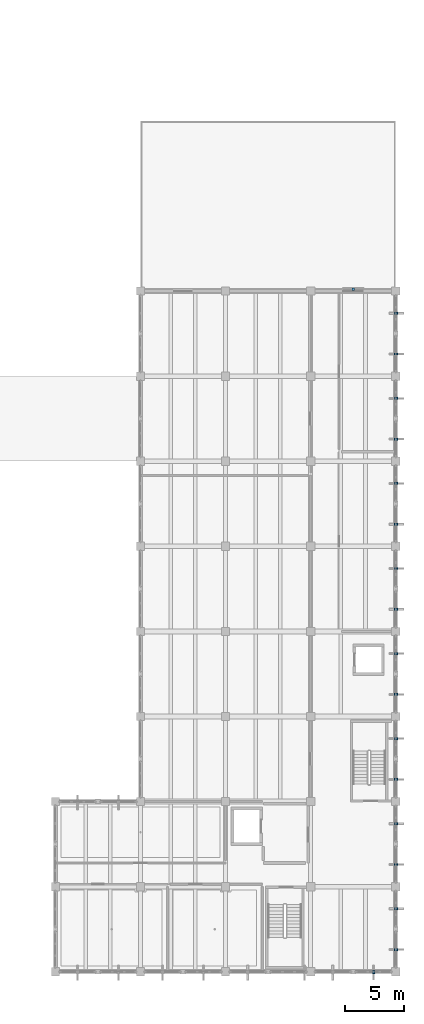
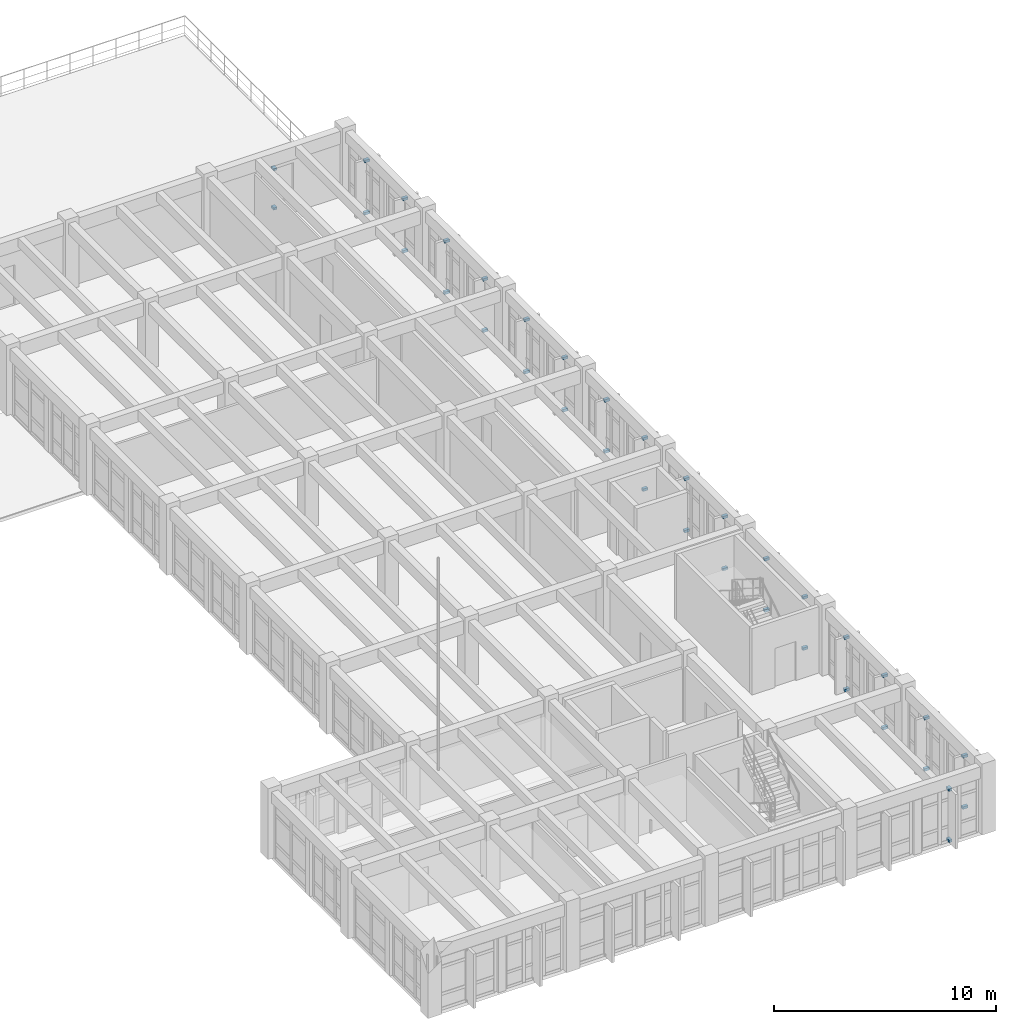
# One storey, part 50 of 54: 36 discrete accessories.
"""IFC4 building model written with IfcOpenShell, lengths in metres."""

from ifc_helpers import new_model, si_unit, direction, frame, origin, origin_2d, place, context, subcontext, project, spatial, rectangle, extrude, material, type_object, element, save


model = new_model("IFC4")

# Units and contexts
model_context = context("Model", 3, precision=1e-05, world=origin(), true_north=direction((0.0, 1.0)))
body_context = subcontext(model_context, "Body", "Model", "MODEL_VIEW")
ifc_project = project(units=[si_unit("LENGTHUNIT", "METRE"), si_unit("AREAUNIT", "SQUARE_METRE"), si_unit("VOLUMEUNIT", "CUBIC_METRE"), si_unit("PLANEANGLEUNIT", "RADIAN"), si_unit("MASSUNIT", "GRAM", prefix="KILO")], contexts=[model_context])

# Site, building, storey
site_placement = place(None, origin())
site = spatial("IfcSite", under=ifc_project, at=site_placement, CompositionType="ELEMENT")
building_placement = place(site_placement, origin())
building = spatial("IfcBuilding", under=site, at=building_placement, Name="Koriwan Promenade Central Fire Station", CompositionType="ELEMENT")
storey_placement = place(building_placement, frame((0.0, 0.0, 9.60009765625)))
storey = spatial("IfcBuildingStorey", under=building, at=storey_placement, Name="L02", CompositionType="ELEMENT", Elevation=9.60009765625)

# Discrete accessories
ifc_material = material(Name="Steel ASTM A572 Grade 50", Category="steel")
discrete_accessory_type_1 = type_object("IfcDiscreteAccessoryType", Name="FacadeBracket_Fin", PredefinedType="BRACKET", material=ifc_material)
for number, where, z_axis, x_axis, name in (
    (1, (170.925048828125, -0.02001953125, 0.02001953125), (0.0, 0.0, 1.0), (0.0, -1.0, 0.0), "Solar fin outrigger bracket 059-BOT"),
    (2, (170.925048828125, -0.02001953125, 2.830078125), (0.0, 0.0, 1.0), (0.0, -1.0, 0.0), "Solar fin outrigger bracket 059-TOP"),
    (3, (172.820068359375, 55.72509765625, 0.02001953125), (0.0, 0.0, 1.0), (1.0, 0.0, 0.0), "Solar fin outrigger bracket 069-BOT"),
    (4, (172.820068359375, 55.72509765625, 2.89013671875), (0.0, 0.0, 1.0), (1.0, 0.0, 0.0), "Solar fin outrigger bracket 069-TOP"),
    (5, (172.820068359375, 52.27490234375, 0.02001953125), (0.0, 0.0, 1.0), (1.0, 0.0, 0.0), "Solar fin outrigger bracket 070-BOT"),
    (6, (172.820068359375, 52.27490234375, 2.89013671875), (0.0, 0.0, 1.0), (1.0, 0.0, 0.0), "Solar fin outrigger bracket 070-TOP"),
    (7, (172.820068359375, 48.52490234375, 0.02001953125), (0.0, 0.0, 1.0), (1.0, 0.0, 0.0), "Solar fin outrigger bracket 071-BOT"),
    (8, (172.820068359375, 48.52490234375, 2.83984375), (0.0, 0.0, 1.0), (1.0, 0.0, 0.0), "Solar fin outrigger bracket 071-TOP"),
    (9, (172.820068359375, 45.074951171875, 0.02001953125), (0.0, 0.0, 1.0), (1.0, 0.0, 0.0), "Solar fin outrigger bracket 072-BOT"),
    (10, (172.820068359375, 45.074951171875, 2.83984375), (0.0, 0.0, 1.0), (1.0, 0.0, 0.0), "Solar fin outrigger bracket 072-TOP"),
    (11, (172.820068359375, 41.324951171875, 0.02001953125), (0.0, 0.0, 1.0), (1.0, 0.0, 0.0), "Solar fin outrigger bracket 073-BOT"),
    (12, (172.820068359375, 41.324951171875, 2.8798828125), (0.0, 0.0, 1.0), (1.0, 0.0, 0.0), "Solar fin outrigger bracket 073-TOP"),
    (13, (172.820068359375, 37.875, 0.02001953125), (0.0, 0.0, 1.0), (1.0, 0.0, 0.0), "Solar fin outrigger bracket 074-BOT"),
    (14, (172.820068359375, 37.875, 2.8798828125), (0.0, 0.0, 1.0), (1.0, 0.0, 0.0), "Solar fin outrigger bracket 074-TOP"),
    (15, (172.820068359375, 34.125, 0.02001953125), (0.0, 0.0, 1.0), (1.0, 0.0, 0.0), "Solar fin outrigger bracket 075-BOT"),
    (16, (172.820068359375, 34.125, 2.830078125), (0.0, 0.0, 1.0), (1.0, 0.0, 0.0), "Solar fin outrigger bracket 075-TOP"),
    (17, (172.820068359375, 30.675048828125, 0.02001953125), (0.0, 0.0, 1.0), (1.0, 0.0, 0.0), "Solar fin outrigger bracket 076-BOT"),
    (18, (172.820068359375, 30.675048828125, 2.830078125), (0.0, 0.0, 1.0), (1.0, 0.0, 0.0), "Solar fin outrigger bracket 076-TOP"),
    (19, (172.820068359375, 26.925048828125, 0.02001953125), (0.0, 0.0, 1.0), (1.0, 0.0, 0.0), "Solar fin outrigger bracket 077-BOT"),
    (20, (172.820068359375, 26.925048828125, 2.8798828125), (0.0, 0.0, 1.0), (1.0, 0.0, 0.0), "Solar fin outrigger bracket 077-TOP"),
    (21, (172.820068359375, 23.47509765625, 0.02001953125), (0.0, 0.0, 1.0), (1.0, 0.0, 0.0), "Solar fin outrigger bracket 078-BOT"),
    (22, (172.820068359375, 23.47509765625, 2.8798828125), (0.0, 0.0, 1.0), (1.0, 0.0, 0.0), "Solar fin outrigger bracket 078-TOP"),
    (23, (172.820068359375, 19.72509765625, 0.02001953125), (0.0, 0.0, 1.0), (1.0, 0.0, 0.0), "Solar fin outrigger bracket 079-BOT"),
    (24, (172.820068359375, 19.72509765625, 2.830078125), (0.0, 0.0, 1.0), (1.0, 0.0, 0.0), "Solar fin outrigger bracket 079-TOP"),
    (25, (172.820068359375, 16.27490234375, 0.02001953125), (0.0, 0.0, 1.0), (1.0, 0.0, 0.0), "Solar fin outrigger bracket 080-BOT"),
    (26, (172.820068359375, 16.27490234375, 2.830078125), (0.0, 0.0, 1.0), (1.0, 0.0, 0.0), "Solar fin outrigger bracket 080-TOP"),
    (27, (172.820068359375, 12.52490234375, 0.02001953125), (0.0, 0.0, 1.0), (1.0, 0.0, 0.0), "Solar fin outrigger bracket 081-BOT"),
    (28, (172.820068359375, 12.52490234375, 2.8798828125), (0.0, 0.0, 1.0), (1.0, 0.0, 0.0), "Solar fin outrigger bracket 081-TOP"),
    (29, (172.820068359375, 9.074951171875, 0.02001953125), (0.0, 0.0, 1.0), (1.0, 0.0, 0.0), "Solar fin outrigger bracket 082-BOT"),
    (30, (172.820068359375, 9.074951171875, 2.8798828125), (0.0, 0.0, 1.0), (1.0, 0.0, 0.0), "Solar fin outrigger bracket 082-TOP"),
    (31, (172.820068359375, 5.324951171875, 0.02001953125), (0.0, 0.0, 1.0), (1.0, 0.0, 0.0), "Solar fin outrigger bracket 083-BOT"),
    (32, (172.820068359375, 5.324951171875, 2.830078125), (0.0, 0.0, 1.0), (1.0, 0.0, 0.0), "Solar fin outrigger bracket 083-TOP"),
    (33, (172.820068359375, 1.875, 0.02001953125), (0.0, 0.0, 1.0), (1.0, 0.0, 0.0), "Solar fin outrigger bracket 084-BOT"),
    (34, (172.820068359375, 1.875, 2.830078125), (0.0, 0.0, 1.0), (1.0, 0.0, 0.0), "Solar fin outrigger bracket 084-TOP"),
):
    element("IfcDiscreteAccessory", number, at=place(storey_placement, frame(where, z_axis=z_axis, x_axis=x_axis)), inside=storey, type_object=discrete_accessory_type_1, Name=name, PredefinedType="BRACKET", context=body_context, shape_type="SweptSolid", body=[
        extrude(rectangle(XDim=0.260009765625, YDim=0.159912109375, at=origin_2d()), origin(), (0.0, 0.0, 1.0), 0.139892578125),
    ])
discrete_accessory_type_2 = type_object("IfcDiscreteAccessoryType", Name="FacadeBracket_Jali", PredefinedType="BRACKET", material=ifc_material)
for number, where, z_axis, x_axis, name in (
    (35, (169.199951171875, 57.760009765625, 0.3349609375), (0.0, 0.0, 1.0), (0.0, 1.0, 0.0), "Jali corbel bracket 016-B"),
    (36, (169.199951171875, 57.760009765625, 2.494873046875), (0.0, 0.0, 1.0), (0.0, 1.0, 0.0), "Jali corbel bracket 016-T"),
):
    element("IfcDiscreteAccessory", number, at=place(storey_placement, frame(where, z_axis=z_axis, x_axis=x_axis)), inside=storey, type_object=discrete_accessory_type_2, Name=name, PredefinedType="BRACKET", context=body_context, shape_type="SweptSolid", body=[
        extrude(rectangle(XDim=0.239990234375, YDim=0.179931640625, at=origin_2d()), origin(), (0.0, 0.0, 1.0), 0.1201171875),
    ])

save(model, "model.ifc")
